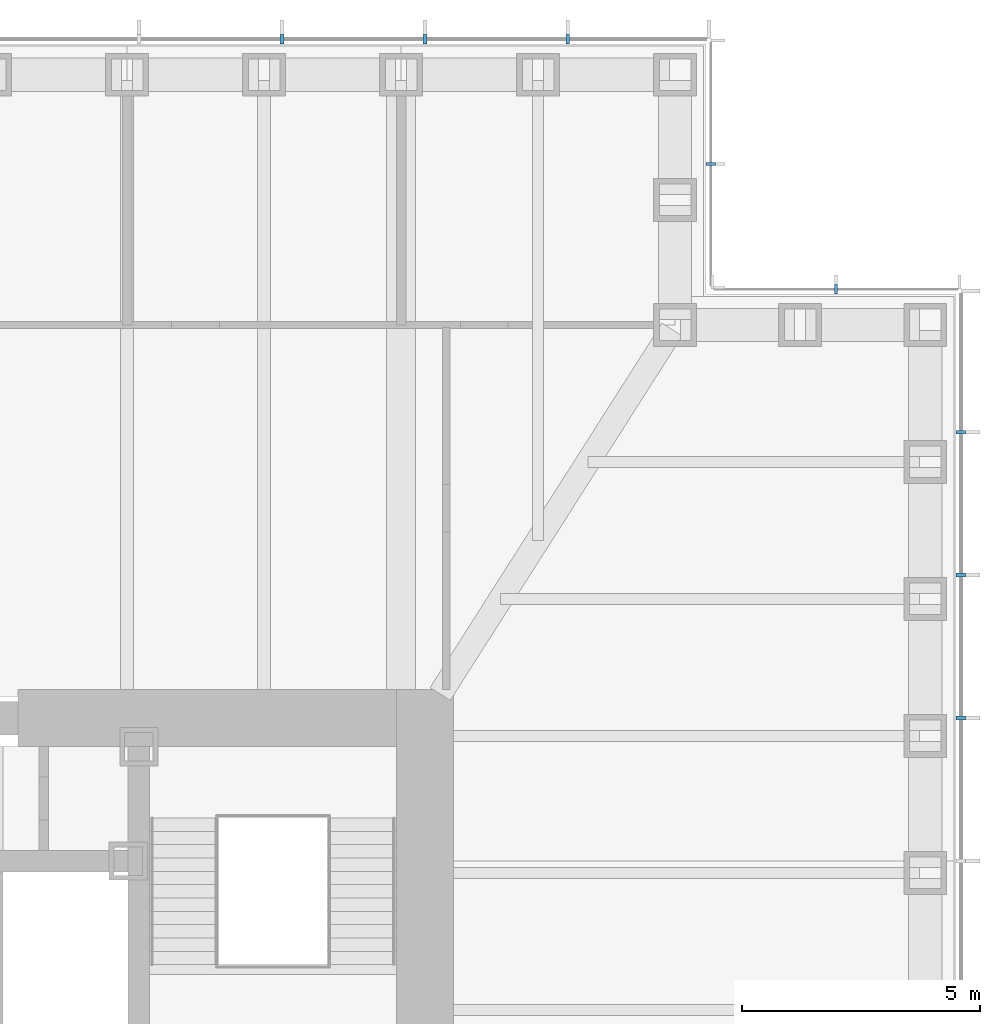
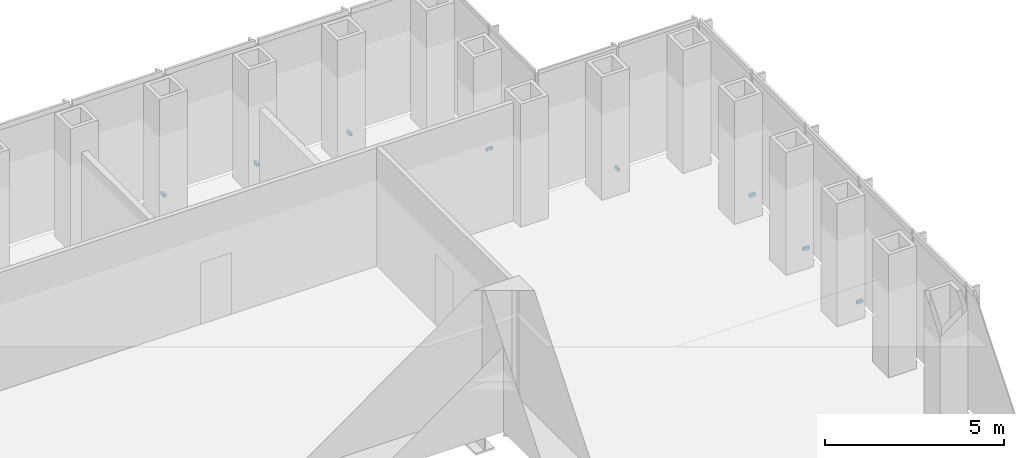
# One storey, part 16 of 17: 8 discrete accessories.
"""IFC4 building model written with IfcOpenShell, lengths in metres."""

from ifc_helpers import new_model, si_unit, direction, frame, origin, origin_2d, place, context, subcontext, project, spatial, rectangle, extrude, element, save


model = new_model("IFC4")

# Units and contexts
model_context = context("Model", 3, precision=1e-05, world=origin(), true_north=direction((0.0, 1.0)))
body_context = subcontext(model_context, "Body", "Model", "MODEL_VIEW")
ifc_project = project(units=[si_unit("LENGTHUNIT", "METRE"), si_unit("AREAUNIT", "SQUARE_METRE"), si_unit("VOLUMEUNIT", "CUBIC_METRE"), si_unit("PLANEANGLEUNIT", "RADIAN"), si_unit("MASSUNIT", "GRAM", prefix="KILO")], contexts=[model_context])

# Site, building, storey
site_placement = place(None, origin())
site = spatial("IfcSite", under=ifc_project, at=site_placement, CompositionType="ELEMENT")
building_placement = place(site_placement, origin())
building = spatial("IfcBuilding", under=site, at=building_placement, Name="Daluyong Arena Tower", CompositionType="ELEMENT")
storey_placement = place(building_placement, frame((0.0, 0.0, 166.89990234375)))
storey = spatial("IfcBuildingStorey", under=building, at=storey_placement, Name="L37", CompositionType="ELEMENT", Elevation=166.89990234375)

# Discrete accessories
for number, where, z_axis, x_axis, name in (
    (1, (79.25, 89.0, -0.099853515625), (0.0, 0.0, 1.0), (0.0, 1.0, 0.0), "curtain wall L37 E anchor bracket 10"),
    (2, (79.25, 92.0, -0.099853515625), (0.0, 0.0, 1.0), (0.0, 1.0, 0.0), "curtain wall L37 E anchor bracket 11"),
    (3, (79.25, 95.0, -0.099853515625), (0.0, 0.0, 1.0), (0.0, 1.0, 0.0), "curtain wall L37 E anchor bracket 12"),
):
    element("IfcDiscreteAccessory", number, at=place(storey_placement, frame(where, z_axis=z_axis, x_axis=x_axis)), inside=storey, Name=name, PredefinedType="BRACKET", context=body_context, shape_type="SweptSolid", body=[
        extrude(rectangle(XDim=0.080078125, YDim=0.199951171875, at=origin_2d()), origin(), (0.0, 0.0, 1.0), 0.10009765625),
    ])
for number, where, z_axis, x_axis, name in (
    (4, (76.625, 98.0, -0.099853515625), (0.0, 0.0, 1.0), (-1.0, 0.0, 0.0), "curtain wall L37 NE-N anchor bracket 2"),
    (5, (74.0, 100.625, -0.099853515625), (0.0, 0.0, 1.0), (0.0, 1.0, 0.0), "curtain wall L37 NE-E anchor bracket 2"),
):
    element("IfcDiscreteAccessory", number, at=place(storey_placement, frame(where, z_axis=z_axis, x_axis=x_axis)), inside=storey, Name=name, PredefinedType="BRACKET", context=body_context, shape_type="SweptSolid", body=[
        extrude(rectangle(XDim=0.06005859375, YDim=0.199951171875, at=origin_2d()), origin(), (0.0, 0.0, 1.0), 0.10009765625),
    ])
for number, where, z_axis, x_axis, name in (
    (6, (71.0, 103.25, -0.099853515625), (0.0, 0.0, 1.0), (-1.0, 0.0, 0.0), "curtain wall L37 N anchor bracket 2"),
    (7, (68.0, 103.25, -0.099853515625), (0.0, 0.0, 1.0), (-1.0, 0.0, 0.0), "curtain wall L37 N anchor bracket 3"),
    (8, (65.0, 103.25, -0.099853515625), (0.0, 0.0, 1.0), (-1.0, 0.0, 0.0), "curtain wall L37 N anchor bracket 4"),
):
    element("IfcDiscreteAccessory", number, at=place(storey_placement, frame(where, z_axis=z_axis, x_axis=x_axis)), inside=storey, Name=name, PredefinedType="BRACKET", context=body_context, shape_type="SweptSolid", body=[
        extrude(rectangle(XDim=0.080078125, YDim=0.199951171875, at=origin_2d()), origin(), (0.0, 0.0, 1.0), 0.10009765625),
    ])

save(model, "model.ifc")
